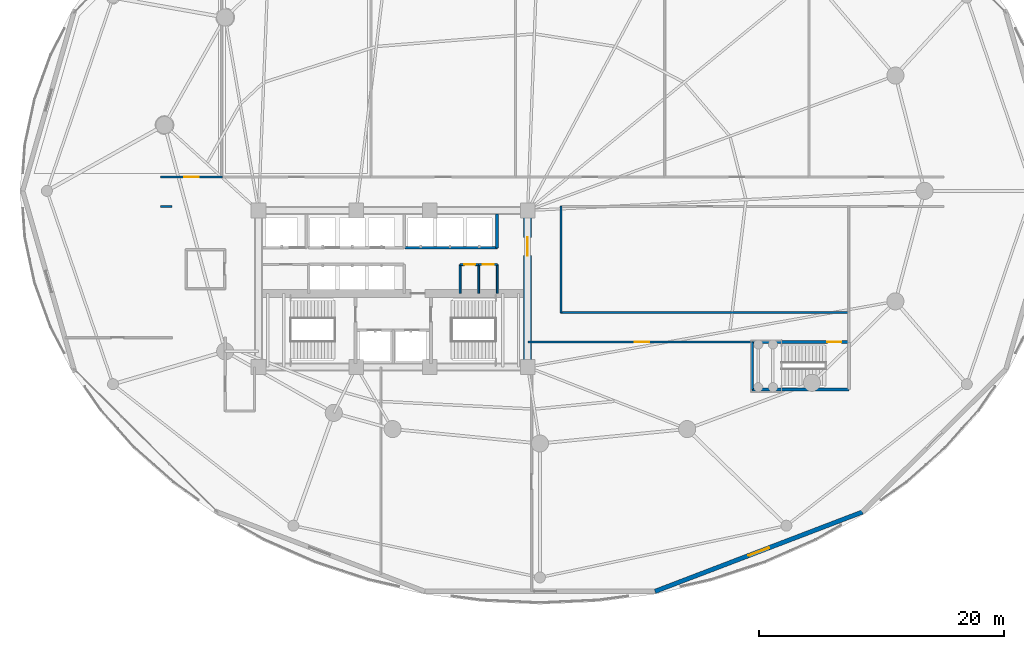
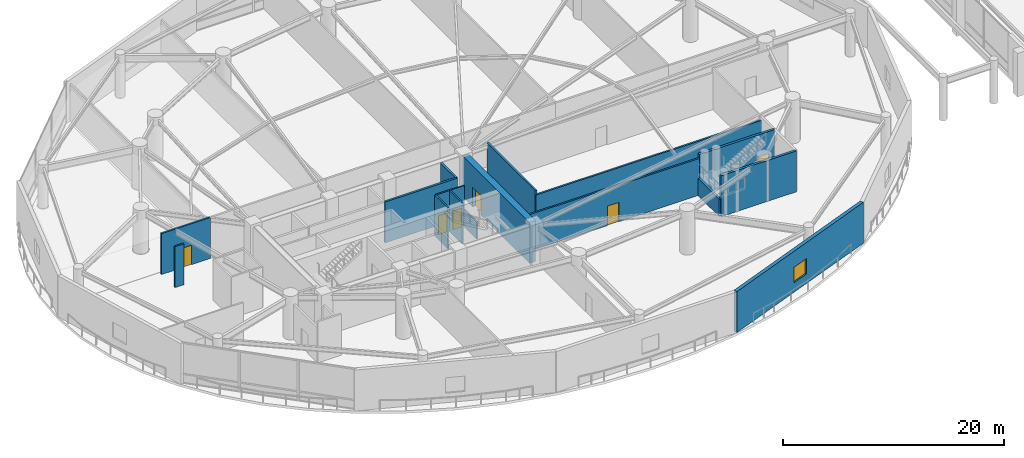
# One storey, part 28 of 40: 17 walls, 6 doors, 1 window, 7 openings.
"""IFC4 building model written with IfcOpenShell, lengths in metres."""

from ifc_helpers import new_model, si_unit, direction, frame, frame_2d, origin, place, context, subcontext, project, spatial, rectangle, extrude, material, layer, layer_set, type_object, element, fill, save


model = new_model("IFC4")

# Units and contexts
model_context = context("Model", 3, precision=1e-05, world=origin(), true_north=direction((0.0, 1.0)))
body_context = subcontext(model_context, "Body", "Model", "MODEL_VIEW")
ifc_project = project(units=[si_unit("LENGTHUNIT", "METRE"), si_unit("AREAUNIT", "SQUARE_METRE"), si_unit("VOLUMEUNIT", "CUBIC_METRE"), si_unit("PLANEANGLEUNIT", "RADIAN"), si_unit("MASSUNIT", "GRAM", prefix="KILO")], contexts=[model_context])

# Site, building, storey
site_placement = place(None, origin())
site = spatial("IfcSite", under=ifc_project, at=site_placement, CompositionType="ELEMENT")
building_placement = place(site_placement, origin())
building = spatial("IfcBuilding", under=site, at=building_placement, Name="Kazevale Care Tower and Concert Hall", CompositionType="ELEMENT")
storey_placement = place(building_placement, frame((0.0, 0.0, 4.800048828125)))
storey = spatial("IfcBuildingStorey", under=building, at=storey_placement, Name="L01", CompositionType="ELEMENT", Elevation=4.800048828125)

# Wall
ifc_material_1 = material(Name="Acoustic Gypsum on Steel Stud", Category="steel")
ifc_layer_1 = layer(ifc_material_1, 0.139892578125)
ifc_layer_set_1 = layer_set([ifc_layer_1], Name="Acoustic Gypsum on Steel Stud")
wall_type_1 = type_object("IfcWallType", Name="Acoustic Care & Suite Partition 140", PredefinedType="PARTITIONING", material=ifc_layer_set_1)
wall_1_placement = place(storey_placement, frame((41.52001953125, 29.6201171875, 0.0), z_axis=(0.0, 0.0, 1.0), x_axis=(0.0, 1.0, 0.0)))
element("IfcWall", 1, at=wall_1_placement, inside=storey, type_object=wall_type_1, Name="wall:L01:ka_ee", PredefinedType="PARTITIONING", context=body_context, shape_type="SweptSolid", body=[
    extrude(rectangle(XDim=2.35986328125, YDim=0.139892578125, at=frame_2d((1.179931640625, 0.0))), origin(), (0.0, 0.0, 1.0), 1.886962890625),
])

# Wall, opening, door
wall_2_placement = place(storey_placement, frame((40.0, 31.97998046875, 0.0), z_axis=(0.0, 0.0, 1.0), x_axis=(1.0, 0.0, 0.0)))
wall_2 = element("IfcWall", 2, at=wall_2_placement, inside=storey, type_object=wall_type_1, Name="wall:L01:ka_en2", PredefinedType="PARTITIONING", context=body_context, shape_type="SweptSolid", body=[
    extrude(rectangle(XDim=1.52001953125, YDim=0.139892578125, at=frame_2d((0.760009765625, 0.0))), origin(), (0.0, 0.0, 1.0), 4.52001953125),
])
opening_1_placement = place(wall_2_placement, frame((0.320068359375, 0.0, 0.0)))
opening_1 = element("IfcOpeningElement", 3, at=opening_1_placement, cuts=wall_2, Name="Opening ID-900", PredefinedType="OPENING", context=body_context, shape_type="SweptSolid", body=[
    extrude(rectangle(XDim=0.919921875, YDim=2.10009765625, at=frame_2d((0.4599609375, 1.050048828125))), frame((0.0, 0.079833984375, 0.0), z_axis=(0.0, -1.0, 0.0), x_axis=(1.0, 0.0, 0.0)), (0.0, 0.0, 1.0), 0.159912109375),
])
ifc_material_2 = material(Name="Oak Timber Fire Leaf", Category="wood")
door_type_1 = type_object("IfcDoorType", Name="Bathroom & Service Door 920x2100", OperationType="NOTDEFINED", PredefinedType="DOOR", material=ifc_material_2)
door_1_placement = place(opening_1_placement, origin())
door_1 = element("IfcDoor", 4, at=door_1_placement, inside=storey, type_object=door_type_1, Name="door:L01:d_kae2", OperationType="SINGLE_SWING_RIGHT", OverallHeight=2.10009765625, OverallWidth=0.919921875, PredefinedType="DOOR", context=body_context, shape_type="SweptSolid", body=[
    extrude(rectangle(XDim=0.919921875, YDim=2.10009765625, at=frame_2d((0.4599609375, 1.050048828125))), frame((0.0, 0.02490234375, 0.0), z_axis=(0.0, -1.0, 0.0), x_axis=(1.0, 0.0, 0.0)), (0.0, 0.0, 1.0), 0.050048828125),
])
fill(opening_1, door_1)

ifc_material_3 = material(Name="Concrete C70", Category="concrete")
ifc_layer_2 = layer(ifc_material_3, 0.64990234375)
ifc_layer_set_2 = layer_set([ifc_layer_2], Name="Concrete C70")
wall_type_2 = type_object("IfcWallType", Name="Core Shear Wall 650 C70", PredefinedType="SHEAR", material=ifc_layer_set_2)
wall_3_placement = place(storey_placement, frame((44.0, 23.925048828125, 0.0), z_axis=(0.0, 0.0, 1.0), x_axis=(0.0, 1.0, 0.0)))
wall_3 = element("IfcWall", 5, at=wall_3_placement, inside=storey, type_object=wall_type_2, Name="wall:L01:core:E", PredefinedType="SHEAR", context=body_context, shape_type="SweptSolid", body=[
    extrude(rectangle(XDim=12.14990234375, YDim=0.64990234375, at=frame_2d((6.074951171875, 0.0))), origin(), (0.0, 0.0, 1.0), 4.52001953125),
])
opening_2_placement = place(wall_3_placement, frame((8.77490234375, 0.0, 0.0)))
opening_2 = element("IfcOpeningElement", 6, at=opening_2_placement, cuts=wall_3, Name="Opening FD-60D", PredefinedType="OPENING", context=body_context, shape_type="SweptSolid", body=[
    extrude(rectangle(XDim=1.5, YDim=2.14990234375, at=frame_2d((0.75, 1.074951171875))), frame((0.0, 0.3349609375, 0.0), z_axis=(0.0, -1.0, 0.0), x_axis=(1.0, 0.0, 0.0)), (0.0, 0.0, 1.0), 0.669921875),
])
door_type_2 = type_object("IfcDoorType", Name="Double Lobby & Auditorium Fire Door 1500x2150", OperationType="NOTDEFINED", PredefinedType="DOOR", material=ifc_material_2)
door_2_placement = place(opening_2_placement, origin())
door_2 = element("IfcDoor", 7, at=door_2_placement, inside=storey, type_object=door_type_2, Name="door:L01:core_east_out", OperationType="DOUBLE_DOOR_SINGLE_SWING", OverallHeight=2.14990234375, OverallWidth=1.5, PredefinedType="DOOR", context=body_context, shape_type="SweptSolid", body=[
    extrude(rectangle(XDim=1.5, YDim=2.14990234375, at=frame_2d((0.75, 1.074951171875))), frame((0.0, 0.02490234375, 0.0), z_axis=(0.0, -1.0, 0.0), x_axis=(1.0, 0.0, 0.0)), (0.0, 0.0, 1.0), 0.050048828125),
])
fill(opening_2, door_2)

# Walls
ifc_material_4 = material(Name="Concrete C40", Category="concrete")
ifc_layer_3 = layer(ifc_material_4, 0.219970703125)
ifc_layer_set_3 = layer_set([ifc_layer_3], Name="Concrete C40")
wall_type_3 = type_object("IfcWallType", Name="Elevator Hoistway Shaft Wall 220", PredefinedType="SOLIDWALL", material=ifc_layer_set_3)
wall_4_placement = place(storey_placement, frame((33.97998046875, 33.35009765625, 0.0), z_axis=(0.0, 0.0, 1.0), x_axis=(1.0, 0.0, 0.0)))
element("IfcWall", 8, at=wall_4_placement, inside=storey, type_object=wall_type_3, Name="wall:L01:c_pm_s", PredefinedType="SOLIDWALL", context=body_context, shape_type="SweptSolid", body=[
    extrude(rectangle(XDim=7.5400390625, YDim=0.219970703125, at=frame_2d((3.77001953125, 0.0))), origin(), (0.0, 0.0, 1.0), 4.52001953125),
])
wall_5_placement = place(storey_placement, frame((41.5, 33.35009765625, 0.0), z_axis=(0.0, 0.0, 1.0), x_axis=(0.0, 1.0, 0.0)))
element("IfcWall", 9, at=wall_5_placement, inside=storey, type_object=wall_type_3, Name="wall:L01:c_pm_e", PredefinedType="SOLIDWALL", context=body_context, shape_type="SweptSolid", body=[
    extrude(rectangle(XDim=2.75, YDim=0.219970703125, at=frame_2d((1.375, 0.0))), origin(), (0.0, 0.0, 1.0), 4.52001953125),
])

# Wall, opening, door
ifc_material_5 = material(Name="Concrete C40 and Acoustic Gypsum", Category="concrete")
ifc_layer_4 = layer(ifc_material_5, 0.179931640625)
ifc_layer_set_4 = layer_set([ifc_layer_4], Name="Concrete C40 and Acoustic Gypsum")
wall_type_4 = type_object("IfcWallType", Name="Fire-Rated Corridor & Party Wall 180", PredefinedType="PARTITIONING", material=ifc_layer_set_4)
wall_6_placement = place(storey_placement, frame((13.969970703125, 39.125, 0.0), z_axis=(0.0, 0.0, 1.0), x_axis=(1.0, 0.0, 0.0)))
wall_6 = element("IfcWall", 10, at=wall_6_placement, inside=storey, type_object=wall_type_4, Name="wall:L01:auto_001", PredefinedType="PARTITIONING", context=body_context, shape_type="SweptSolid", body=[
    extrude(rectangle(XDim=5.094970703125, YDim=0.179931640625, at=frame_2d((2.54736328125, 0.0))), origin(), (0.0, 0.0, 1.0), 4.52001953125),
])
opening_3_placement = place(wall_6_placement, frame((1.947021484375, 0.0, 0.0)))
opening_3 = element("IfcOpeningElement", 11, at=opening_3_placement, cuts=wall_6, Name="Opening ID-1200", PredefinedType="OPENING", context=body_context, shape_type="SweptSolid", body=[
    extrude(rectangle(XDim=1.199951171875, YDim=2.14990234375, at=frame_2d((0.60009765625, 1.074951171875))), frame((0.0, 0.099853515625, 0.0), z_axis=(0.0, -1.0, 0.0), x_axis=(1.0, 0.0, 0.0)), (0.0, 0.0, 1.0), 0.199951171875),
])
door_type_3 = type_object("IfcDoorType", Name="Clinical & Therapy Door 1200x2150", OperationType="NOTDEFINED", PredefinedType="DOOR", material=ifc_material_2)
door_3_placement = place(opening_3_placement, origin())
door_3 = element("IfcDoor", 12, at=door_3_placement, inside=storey, type_object=door_type_3, Name="door:L01:ad_001", OperationType="SINGLE_SWING_LEFT", OverallHeight=2.14990234375, OverallWidth=1.199951171875, PredefinedType="DOOR", context=body_context, shape_type="SweptSolid", body=[
    extrude(rectangle(XDim=1.199951171875, YDim=2.14990234375, at=frame_2d((0.60009765625, 1.074951171875))), frame((0.0, 0.02490234375, 0.0), z_axis=(0.0, -1.0, 0.0), x_axis=(1.0, 0.0, 0.0)), (0.0, 0.0, 1.0), 0.050048828125),
])
fill(opening_3, door_3)

wall_7_placement = place(storey_placement, frame((62.4150390625, 25.64990234375, 0.0), z_axis=(0.0, 0.0, 1.0), x_axis=(-1.0, 0.0, 0.0)))
wall_7 = element("IfcWall", 13, at=wall_7_placement, inside=storey, type_object=wall_type_4, Name="wall:L01:auto_007", PredefinedType="PARTITIONING", context=body_context, shape_type="SweptSolid", body=[
    extrude(rectangle(XDim=18.405029296875, YDim=0.179931640625, at=frame_2d((9.20263671875, 0.0))), origin(), (0.0, 0.0, 1.0), 4.050048828125),
])
opening_4_placement = place(wall_7_placement, frame((8.4599609375, 0.0, 0.0)))
opening_4 = element("IfcOpeningElement", 14, at=opening_4_placement, cuts=wall_7, Name="Opening ID-1200", PredefinedType="OPENING", context=body_context, shape_type="SweptSolid", body=[
    extrude(rectangle(XDim=1.199951171875, YDim=2.14990234375, at=frame_2d((0.60009765625, 1.074951171875))), frame((0.0, 0.099853515625, 0.0), z_axis=(0.0, -1.0, 0.0), x_axis=(1.0, 0.0, 0.0)), (0.0, 0.0, 1.0), 0.199951171875),
])
door_4_placement = place(opening_4_placement, origin())
door_4 = element("IfcDoor", 15, at=door_4_placement, inside=storey, type_object=door_type_3, Name="door:L01:ad_007", OperationType="SINGLE_SWING_LEFT", OverallHeight=2.14990234375, OverallWidth=1.199951171875, PredefinedType="DOOR", context=body_context, shape_type="SweptSolid", body=[
    extrude(rectangle(XDim=1.199951171875, YDim=2.14990234375, at=frame_2d((0.60009765625, 1.074951171875))), frame((0.0, 0.02490234375, 0.0), z_axis=(0.0, -1.0, 0.0), x_axis=(1.0, 0.0, 0.0)), (0.0, 0.0, 1.0), 0.050048828125),
])
fill(opening_4, door_4)

# Walls
wall_8_placement = place(storey_placement, frame((46.695068359375, 28.050048828125, 0.0), z_axis=(0.0, 0.0, 1.0), x_axis=(1.0, 0.0, 0.0)))
element("IfcWall", 16, at=wall_8_placement, inside=storey, type_object=wall_type_4, Name="wall:L01:auto_009", PredefinedType="PARTITIONING", context=body_context, shape_type="SweptSolid", body=[
    extrude(rectangle(XDim=23.5849609375, YDim=0.179931640625, at=frame_2d((11.79248046875, 0.0))), origin(), (0.0, 0.0, 1.0), 4.050048828125),
])
wall_9_placement = place(storey_placement, frame((46.72509765625, 36.7548828125, 0.0), z_axis=(0.0, 0.0, 1.0), x_axis=(0.0, -1.0, 0.0)))
element("IfcWall", 17, at=wall_9_placement, inside=storey, type_object=wall_type_4, Name="wall:L01:auto_010", PredefinedType="PARTITIONING", context=body_context, shape_type="SweptSolid", body=[
    extrude(rectangle(XDim=8.73486328125, YDim=0.179931640625, at=frame_2d((4.367431640625, 0.0))), origin(), (0.0, 0.0, 1.0), 4.52001953125),
])
wall_10_placement = place(storey_placement, frame((14.93994140625, 36.72509765625, 0.0), z_axis=(0.0, 0.0, 1.0), x_axis=(-1.0, 0.0, 0.0)))
element("IfcWall", 18, at=wall_10_placement, inside=storey, type_object=wall_type_4, Name="wall:L01:auto_016", PredefinedType="PARTITIONING", context=body_context, shape_type="SweptSolid", body=[
    extrude(rectangle(XDim=0.969970703125, YDim=0.179931640625, at=frame_2d((0.48486328125, 0.0))), origin(), (0.0, 0.0, 1.0), 4.52001953125),
])
ifc_layer_5 = layer(ifc_material_1, 0.159912109375)
ifc_layer_set_5 = layer_set([ifc_layer_5], Name="Acoustic Gypsum on Steel Stud")
wall_type_5 = type_object("IfcWallType", Name="Moisture-Resistant Bathroom Plumbing Wall 160", PredefinedType="PLUMBINGWALL", material=ifc_layer_set_5)
for number, where, z_axis, x_axis, name in (
    (19, (38.47998046875, 29.6201171875, 0.0), (0.0, 0.0, 1.0), (0.0, 1.0, 0.0), "wall:L01:ka_ew"),
    (20, (40.0, 29.6201171875, 0.0), (0.0, 0.0, 1.0), (0.0, 1.0, 0.0), "wall:L01:ka_em"),
):
    element("IfcWall", number, at=place(storey_placement, frame(where, z_axis=z_axis, x_axis=x_axis)), inside=storey, type_object=wall_type_5, Name=name, PredefinedType="PLUMBINGWALL", context=body_context, shape_type="SweptSolid", body=[
        extrude(rectangle(XDim=2.35986328125, YDim=0.159912109375, at=frame_2d((1.179931640625, 0.0))), origin(), (0.0, 0.0, 1.0), 4.52001953125),
    ])

# Wall, opening, door
wall_11_placement = place(storey_placement, frame((38.47998046875, 31.97998046875, 0.0), z_axis=(0.0, 0.0, 1.0), x_axis=(1.0, 0.0, 0.0)))
wall_11 = element("IfcWall", 21, at=wall_11_placement, inside=storey, type_object=wall_type_5, Name="wall:L01:ka_en1", PredefinedType="PLUMBINGWALL", context=body_context, shape_type="SweptSolid", body=[
    extrude(rectangle(XDim=1.52001953125, YDim=0.159912109375, at=frame_2d((0.760009765625, 0.0))), origin(), (0.0, 0.0, 1.0), 4.52001953125),
])
opening_5_placement = place(wall_11_placement, frame((0.320068359375, 0.0, 0.0)))
opening_5 = element("IfcOpeningElement", 22, at=opening_5_placement, cuts=wall_11, Name="Opening ID-900", PredefinedType="OPENING", context=body_context, shape_type="SweptSolid", body=[
    extrude(rectangle(XDim=0.919921875, YDim=2.10009765625, at=frame_2d((0.4599609375, 1.050048828125))), frame((0.0, 0.08984375, 0.0), z_axis=(0.0, -1.0, 0.0), x_axis=(1.0, 0.0, 0.0)), (0.0, 0.0, 1.0), 0.179931640625),
])
door_5_placement = place(opening_5_placement, origin())
door_5 = element("IfcDoor", 23, at=door_5_placement, inside=storey, type_object=door_type_1, Name="door:L01:d_kae1", OperationType="SINGLE_SWING_LEFT", OverallHeight=2.10009765625, OverallWidth=0.919921875, PredefinedType="DOOR", context=body_context, shape_type="SweptSolid", body=[
    extrude(rectangle(XDim=0.919921875, YDim=2.10009765625, at=frame_2d((0.4599609375, 1.050048828125))), frame((0.0, 0.02490234375, 0.0), z_axis=(0.0, -1.0, 0.0), x_axis=(1.0, 0.0, 0.0)), (0.0, 0.0, 1.0), 0.050048828125),
])
fill(opening_5, door_5)

# Wall, opening, window
ifc_material_6 = material(Name="Concrete C40 with Honed Limestone Cladding", Category="masonry")
ifc_layer_6 = layer(ifc_material_6, 0.360107421875)
ifc_layer_set_6 = layer_set([ifc_layer_6], Name="Concrete C40 with Honed Limestone Cladding")
wall_type_6 = type_object("IfcWallType", Name="Podium Insulated Limestone Wall 360", PredefinedType="STANDARD", material=ifc_layer_set_6)
wall_12_placement = place(storey_placement, frame((54.407958984375, 5.261962890625, 0.0), z_axis=(0.0, 0.0, 1.0), x_axis=(0.934014086565, 0.357236176917, 0.0)))
wall_12 = element("IfcWall", 24, at=wall_12_placement, inside=storey, type_object=wall_type_6, Name="wall:L01:podew:12", PredefinedType="STANDARD", context=body_context, shape_type="SweptSolid", body=[
    extrude(rectangle(XDim=18.15087890625, YDim=0.360107421875, at=frame_2d((9.075439453125, 0.0))), origin(), (0.0, 0.0, 1.0), 4.52001953125),
])
opening_6_placement = place(wall_12_placement, frame((8.175048828125, 0.0, 1.050048828125)))
opening_6 = element("IfcOpeningElement", 25, at=opening_6_placement, cuts=wall_12, Name="Opening WIN-2", PredefinedType="OPENING", context=body_context, shape_type="SweptSolid", body=[
    extrude(rectangle(XDim=1.800048828125, YDim=1.699951171875, at=frame_2d((0.89990234375, 0.85009765625))), frame((0.0, 0.18994140625, 0.0), z_axis=(0.0, -1.0, 0.0), x_axis=(1.0, 0.0, 0.0)), (0.0, 0.0, 1.0), 0.380126953125),
])
ifc_material_7 = material(Name="Low-E Laminated Glass", Category="glass")
window_type = type_object("IfcWindowType", Name="Clinical Punched Window 1800x1700", PartitioningType="DOUBLE_PANEL_VERTICAL", PredefinedType="WINDOW", material=ifc_material_7)
window_placement = place(opening_6_placement, origin())
window = element("IfcWindow", 26, at=window_placement, inside=storey, type_object=window_type, Name="win:L01:pod:12", OverallHeight=1.699951171875, OverallWidth=1.800048828125, PartitioningType="SINGLE_PANEL", PredefinedType="WINDOW", context=body_context, shape_type="SweptSolid", body=[
    extrude(rectangle(XDim=1.800048828125, YDim=1.699951171875, at=frame_2d((0.89990234375, 0.85009765625))), frame((0.0, 0.030029296875, 0.0), z_axis=(0.0, -1.0, 0.0), x_axis=(1.0, 0.0, 0.0)), (0.0, 0.0, 1.0), 0.06005859375),
])
fill(opening_6, window)

# Wall, opening, door
ifc_layer_7 = layer(ifc_material_4, 0.25)
ifc_layer_set_7 = layer_set([ifc_layer_7], Name="Concrete C40")
wall_type_7 = type_object("IfcWallType", Name="Pressurized Stair Shaft Wall 250", PredefinedType="SOLIDWALL", material=ifc_layer_set_7)
wall_13_placement = place(storey_placement, frame((62.35009765625, 25.64990234375, 0.0), z_axis=(0.0, 0.0, 1.0), x_axis=(1.0, 0.0, 0.0)))
wall_13 = element("IfcWall", 27, at=wall_13_placement, inside=storey, type_object=wall_type_7, Name="wall:L01:pod_st3_n", PredefinedType="SOLIDWALL", context=body_context, shape_type="SweptSolid", body=[
    extrude(rectangle(XDim=7.89990234375, YDim=0.25, at=frame_2d((3.949951171875, 0.0))), origin(), (0.0, 0.0, 1.0), 4.52001953125),
])
opening_7_placement = place(wall_13_placement, frame((6.139892578125, 0.0, 0.0)))
opening_7 = element("IfcOpeningElement", 28, at=opening_7_placement, cuts=wall_13, Name="Opening FD-90", PredefinedType="OPENING", context=body_context, shape_type="SweptSolid", body=[
    extrude(rectangle(XDim=1.14990234375, YDim=2.10009765625, at=frame_2d((0.574951171875, 1.050048828125))), frame((0.0, 0.135009765625, 0.0), z_axis=(0.0, -1.0, 0.0), x_axis=(1.0, 0.0, 0.0)), (0.0, 0.0, 1.0), 0.27001953125),
])
ifc_material_8 = material(Name="Steel ASTM A572 Gr 50", Category="steel")
door_type_4 = type_object("IfcDoorType", Name="Pressurized Stair & Lobby Fire Door 1150x2100", OperationType="NOTDEFINED", PredefinedType="DOOR", material=ifc_material_8)
door_6_placement = place(opening_7_placement, origin())
door_6 = element("IfcDoor", 29, at=door_6_placement, inside=storey, type_object=door_type_4, Name="door:L01:pod_st3d", OperationType="SINGLE_SWING_LEFT", OverallHeight=2.10009765625, OverallWidth=1.14990234375, PredefinedType="DOOR", context=body_context, shape_type="SweptSolid", body=[
    extrude(rectangle(XDim=1.14990234375, YDim=2.10009765625, at=frame_2d((0.574951171875, 1.050048828125))), frame((0.0, 0.02490234375, 0.0), z_axis=(0.0, -1.0, 0.0), x_axis=(1.0, 0.0, 0.0)), (0.0, 0.0, 1.0), 0.050048828125),
])
fill(opening_7, door_6)

# Walls
wall_14_placement = place(storey_placement, frame((62.35009765625, 21.75, 0.0), z_axis=(0.0, 0.0, 1.0), x_axis=(1.0, 0.0, 0.0)))
element("IfcWall", 30, at=wall_14_placement, inside=storey, type_object=wall_type_7, Name="wall:L01:pod_st3_s", PredefinedType="SOLIDWALL", context=body_context, shape_type="SweptSolid", body=[
    extrude(rectangle(XDim=7.89990234375, YDim=0.25, at=frame_2d((3.949951171875, 0.0))), origin(), (0.0, 0.0, 1.0), 4.52001953125),
])
wall_15_placement = place(storey_placement, frame((62.35009765625, 21.75, 0.0), z_axis=(0.0, 0.0, 1.0), x_axis=(0.0, 1.0, 0.0)))
element("IfcWall", 31, at=wall_15_placement, inside=storey, type_object=wall_type_7, Name="wall:L01:pod_st3_w", PredefinedType="SOLIDWALL", context=body_context, shape_type="SweptSolid", body=[
    extrude(rectangle(XDim=3.89990234375, YDim=0.25, at=frame_2d((1.949951171875, 0.0))), origin(), (0.0, 0.0, 1.0), 1.886962890625),
])

save(model, "model.ifc")
